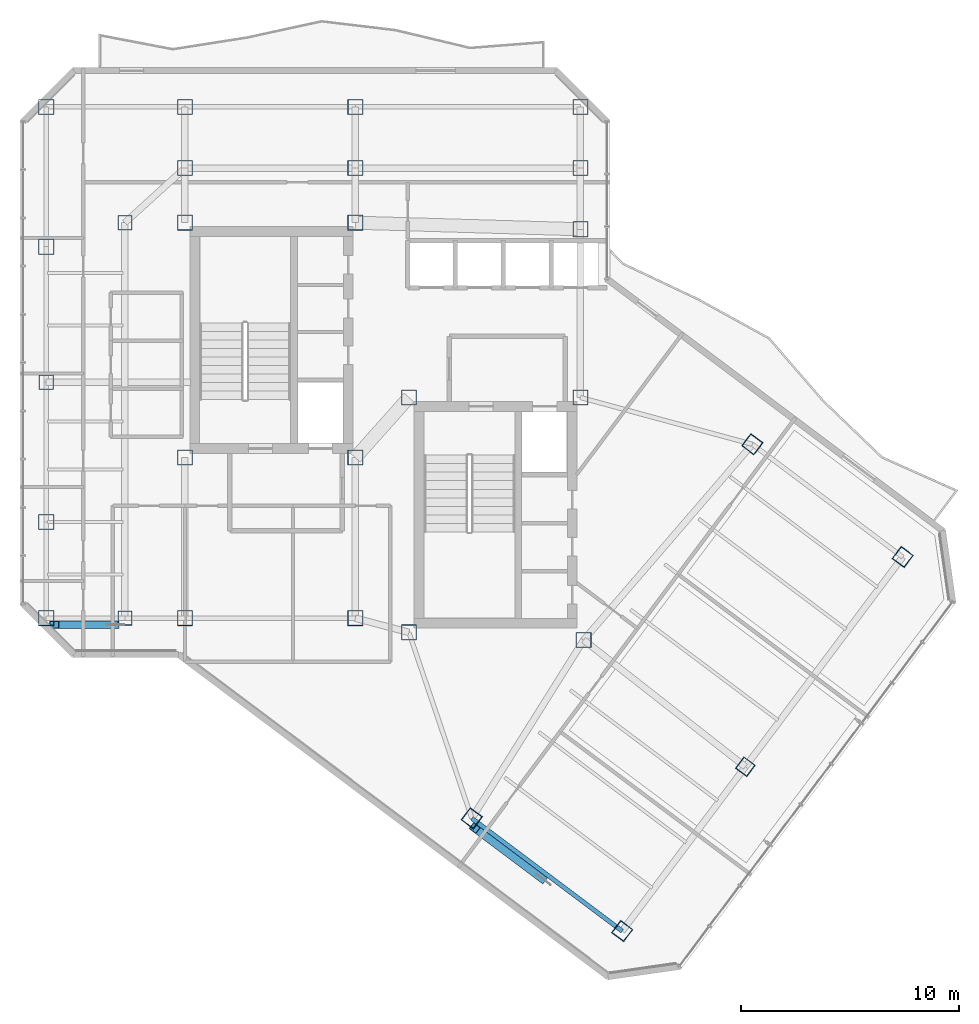
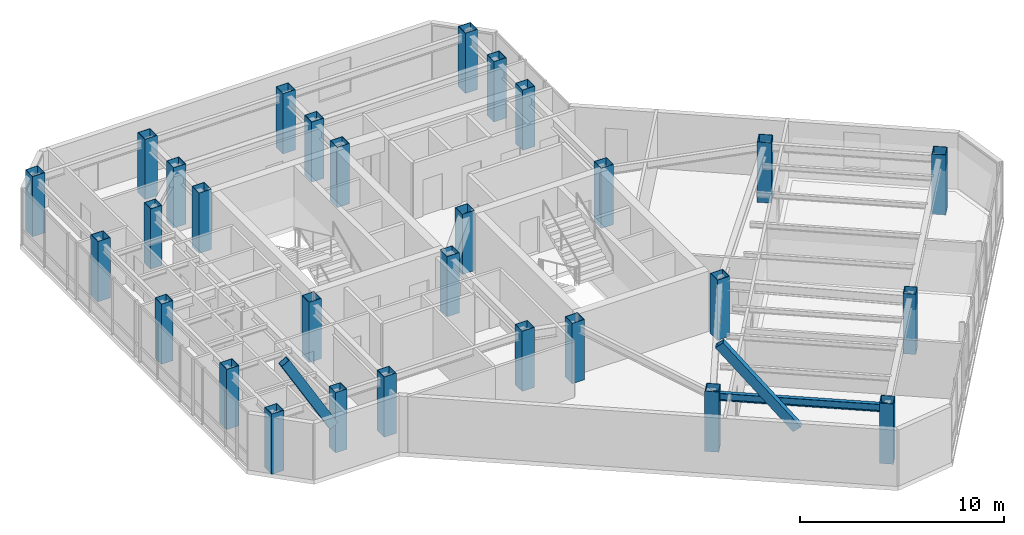
# One storey, part 1 of 26: 29 columns, 2 members, 1 beam.
"""IFC4 building model written with IfcOpenShell, lengths in metres."""

from ifc_helpers import new_model, si_unit, direction, frame, origin, origin_2d, place, context, subcontext, project, spatial, hollow_rectangle, i_section, extrude, material, material_profile, profile_set, type_object, element, save


model = new_model("IFC4")

# Units and contexts
model_context = context("Model", 3, precision=1e-05, world=origin(), true_north=direction((0.0, 1.0)))
body_context = subcontext(model_context, "Body", "Model", "MODEL_VIEW")
ifc_project = project(units=[si_unit("LENGTHUNIT", "METRE"), si_unit("AREAUNIT", "SQUARE_METRE"), si_unit("VOLUMEUNIT", "CUBIC_METRE"), si_unit("PLANEANGLEUNIT", "RADIAN"), si_unit("MASSUNIT", "GRAM", prefix="KILO")], contexts=[model_context])

# Site, building, storey
site_placement = place(None, origin())
site = spatial("IfcSite", under=ifc_project, at=site_placement, CompositionType="ELEMENT")
building_placement = place(site_placement, origin())
building = spatial("IfcBuilding", under=site, at=building_placement, Name="Hatsunagi Terrace Concourse", CompositionType="ELEMENT")
storey_placement = place(building_placement, frame((0.0, 0.0, 227.550048828125)))
storey = spatial("IfcBuildingStorey", under=building, at=storey_placement, Name="L60", CompositionType="ELEMENT", Elevation=227.550048828125)

# Columns
ifc_material_1 = material(Name="Steel BCP325T", Category="steel")
ifc_material_profile_1 = material_profile(ifc_material_1, hollow_rectangle(XDim=0.64990234375, YDim=0.64990234375, WallThickness=0.02490234375, at=origin_2d()), Name="BCP-650x650x25")
ifc_profile_set_1 = profile_set([ifc_material_profile_1], Name="Steel BCP325T")
column_type_1 = type_object("IfcColumnType", Name="TowerBoxColumn_650x650x25", PredefinedType="COLUMN", material=ifc_profile_set_1)
for number, where, z_axis, x_axis, name in (
    (1, (22.800048828125, 25.199951171875, 0.0), (0.0, 0.0, 1.0), (1.0, 0.0, 0.0), "Column C-09 L60-CW1"),
    (2, (22.800048828125, 43.300048828125, 0.0), (0.0, 0.0, 1.0), (1.0, 0.0, 0.0), "Column C-09 L60-CW2"),
    (3, (19.199951171875, 36.0, 0.0), (0.0, 0.0, 1.0), (1.0, 0.0, 0.0), "Column C-09 L60-WT2"),
    (4, (51.199951171875, 18.39990234375, 0.0), (0.0, 0.0, 1.0), (0.799999996291, -0.600000004945, 0.0), "Column C-09 L60-SEM2"),
):
    element("IfcColumn", number, at=place(storey_placement, frame(where, z_axis=z_axis, x_axis=x_axis)), inside=storey, type_object=column_type_1, Name=name, PredefinedType="COLUMN", context=body_context, shape_type="SweptSolid", body=[
        extrude(hollow_rectangle(XDim=0.64990234375, YDim=0.64990234375, WallThickness=0.02490234375, at=origin_2d()), origin(), (0.0, 0.0, 1.0), 3.599853515625),
    ])
ifc_material_2 = material(Name="Steel BCP325T", Category="steel")
ifc_material_profile_2 = material_profile(ifc_material_2, hollow_rectangle(XDim=0.699951171875, YDim=0.699951171875, WallThickness=0.028076171875, at=origin_2d()), Name="BCP-700x700x28")
ifc_profile_set_2 = profile_set([ifc_material_profile_2], Name="Steel BCP325T")
column_type_2 = type_object("IfcColumnType", Name="TowerBoxColumn_700x700x28", PredefinedType="COLUMN", material=ifc_profile_set_2)
for number, where, z_axis, x_axis, name in (
    (5, (25.550048828125, 32.550048828125, 0.0), (0.0, 0.0, 1.0), (1.0, 0.0, 0.0), "Column C-08 L60-CASW"),
    (6, (33.35009765625, 32.550048828125, 0.0), (0.0, 0.0, 1.0), (1.0, 0.0, 0.0), "Column C-08 L60-CASE"),
    (7, (25.550048828125, 43.300048828125, 0.0), (0.0, 0.0, 1.0), (1.0, 0.0, 0.0), "Column C-08 L60-CANW"),
    (8, (33.35009765625, 43.300048828125, 0.0), (0.0, 0.0, 1.0), (1.0, 0.0, 0.0), "Column C-08 L60-CANE"),
    (9, (35.800048828125, 24.550048828125, 0.0), (0.0, 0.0, 1.0), (1.0, 0.0, 0.0), "Column C-08 L60-CBSW"),
    (10, (43.800048828125, 24.199951171875, 0.0), (0.0, 0.0, 1.0), (1.0, 0.0, 0.0), "Column C-08 L60-CBSE"),
    (11, (35.800048828125, 35.300048828125, 0.0), (0.0, 0.0, 1.0), (1.0, 0.0, 0.0), "Column C-08 L60-CBNW"),
    (12, (43.64990234375, 35.300048828125, 0.0), (0.0, 0.0, 1.0), (1.0, 0.0, 0.0), "Column C-08 L60-CBNE"),
    (13, (25.550048828125, 25.199951171875, 0.0), (0.0, 0.0, 1.0), (1.0, 0.0, 0.0), "Column C-08 L60-K1"),
    (14, (33.35009765625, 25.199951171875, 0.0), (0.0, 0.0, 1.0), (1.0, 0.0, 0.0), "Column C-08 L60-K2"),
    (15, (43.64990234375, 43.0, 0.0), (0.0, 0.0, 1.0), (1.0, 0.0, 0.0), "Column C-08 L60-K3"),
    (16, (25.550048828125, 45.800048828125, 0.0), (0.0, 0.0, 1.0), (1.0, 0.0, 0.0), "Column C-08 L60-CN1"),
    (17, (33.35009765625, 45.800048828125, 0.0), (0.0, 0.0, 1.0), (1.0, 0.0, 0.0), "Column C-08 L60-CN2"),
    (18, (43.64990234375, 45.800048828125, 0.0), (0.0, 0.0, 1.0), (1.0, 0.0, 0.0), "Column C-08 L60-CN3"),
    (19, (19.199951171875, 48.60009765625, 0.0), (0.0, 0.0, 1.0), (1.0, 0.0, 0.0), "Column C-08 L60-WN3"),
    (20, (25.550048828125, 48.60009765625, 0.0), (0.0, 0.0, 1.0), (1.0, 0.0, 0.0), "Column C-08 L60-WN4"),
    (21, (33.35009765625, 48.60009765625, 0.0), (0.0, 0.0, 1.0), (1.0, 0.0, 0.0), "Column C-08 L60-WN5"),
    (22, (43.64990234375, 48.60009765625, 0.0), (0.0, 0.0, 1.0), (1.0, 0.0, 0.0), "Column C-08 L60-WN6"),
    (23, (19.199951171875, 25.199951171875, 0.0), (0.0, 0.0, 1.0), (1.0, 0.0, 0.0), "Column C-08 L60-WS3"),
    (24, (19.199951171875, 29.60009765625, 0.0), (0.0, 0.0, 1.0), (1.0, 0.0, 0.0), "Column C-08 L60-WR1"),
    (25, (19.199951171875, 42.199951171875, 0.0), (0.0, 0.0, 1.0), (1.0, 0.0, 0.0), "Column C-08 L60-WR2"),
    (26, (38.679931640625, 16.0400390625, 0.0), (0.0, 0.0, 1.0), (0.799999996291, -0.600000004945, 0.0), "Column C-08 L60-SES1"),
    (27, (51.52001953125, 33.159912109375, 0.0), (0.0, 0.0, 1.0), (0.799999996291, -0.600000004945, 0.0), "Column C-08 L60-SEN1"),
    (28, (45.56005859375, 10.8798828125, 0.0), (0.0, 0.0, 1.0), (0.799999996291, -0.600000004945, 0.0), "Column C-08 L60-SES2"),
    (29, (58.39990234375, 28.0, 0.0), (0.0, 0.0, 1.0), (0.799999996291, -0.600000004945, 0.0), "Column C-08 L60-SEN2"),
):
    element("IfcColumn", number, at=place(storey_placement, frame(where, z_axis=z_axis, x_axis=x_axis)), inside=storey, type_object=column_type_2, Name=name, PredefinedType="COLUMN", context=body_context, shape_type="SweptSolid", body=[
        extrude(hollow_rectangle(XDim=0.699951171875, YDim=0.699951171875, WallThickness=0.028076171875, at=origin_2d()), origin(), (0.0, 0.0, 1.0), 3.599853515625),
    ])

# Beam
ifc_material_3 = material(Name="Steel SN490B", Category="steel")
ifc_material_profile_3 = material_profile(ifc_material_3, i_section(OverallWidth=0.199951171875, OverallDepth=0.449951171875, WebThickness=0.009033203125, FlangeThickness=0.013916015625, FilletRadius=0.01611328125, at=origin_2d()), Name="H-450x200x9x14")
ifc_profile_set_3 = profile_set([ifc_material_profile_3], Name="Steel SN490B")
beam_type = type_object("IfcBeamType", Name="PerimeterSpandrel_H_450x200", PredefinedType="SPANDREL", material=ifc_profile_set_3)
beam_placement = place(storey_placement, frame((38.679931640625, 16.0400390625, 3.125), z_axis=(0.799996593451, -0.600004542038, 0.0), x_axis=(0.600004542038, 0.799996593451, 0.0)))
element("IfcBeam", 30, at=beam_placement, inside=storey, type_object=beam_type, Name="Beam SP-02 BM-L60-SE-SW2", PredefinedType="SPANDREL", context=body_context, shape_type="SweptSolid", body=[
    extrude(i_section(OverallWidth=0.199951171875, OverallDepth=0.449951171875, WebThickness=0.009033203125, FlangeThickness=0.013916015625, FilletRadius=0.01611328125, at=origin_2d()), origin(), (0.0, 0.0, 1.0), 8.60009765625),
])

# Members
ifc_material_4 = material(Name="Steel SN490B", Category="steel")
ifc_material_profile_4 = material_profile(ifc_material_4, hollow_rectangle(XDim=0.35009765625, YDim=0.5, WallThickness=0.02197265625, at=origin_2d()), Name="RHS-500x350x22")
ifc_profile_set_4 = profile_set([ifc_material_profile_4], Name="Steel SN490B")
member_type = type_object("IfcMemberType", Name="PerimeterXBrace_Upper_RHS_500x350x22", PredefinedType="BRACE", material=ifc_profile_set_4)
member_1_placement = place(storey_placement, frame((19.574951171875, 24.89990234375, 6.4599609375), z_axis=(0.503149043071, 0.0, -0.864199653122), x_axis=(0.0, 1.0, 0.0)))
element("IfcMember", 31, at=member_1_placement, inside=storey, type_object=member_type, Name="Perimeter X-Brace Split Upper XB-03 XB-L59-W1B1", PredefinedType="BRACE", context=body_context, shape_type="SweptSolid", body=[
    extrude(hollow_rectangle(XDim=0.35009765625, YDim=0.5, WallThickness=0.02197265625, at=origin_2d()), origin(), (0.0, 0.0, 1.0), 5.42578125),
])
member_2_placement = place(storey_placement, frame((38.81201171875, 15.591064453125, 6.4599609375), z_axis=(0.5057431403, -0.37933752843, -0.774807663594), x_axis=(0.600030545184, 0.799977090201, 0.0)))
element("IfcMember", 32, at=member_2_placement, inside=storey, type_object=member_type, Name="Perimeter X-Brace Split Upper XB-03 XB-L59-SEB1", PredefinedType="BRACE", context=body_context, shape_type="SweptSolid", body=[
    extrude(hollow_rectangle(XDim=0.35009765625, YDim=0.5, WallThickness=0.02197265625, at=origin_2d()), origin(), (0.0, 0.0, 1.0), 6.068359375),
])

save(model, "model.ifc")
